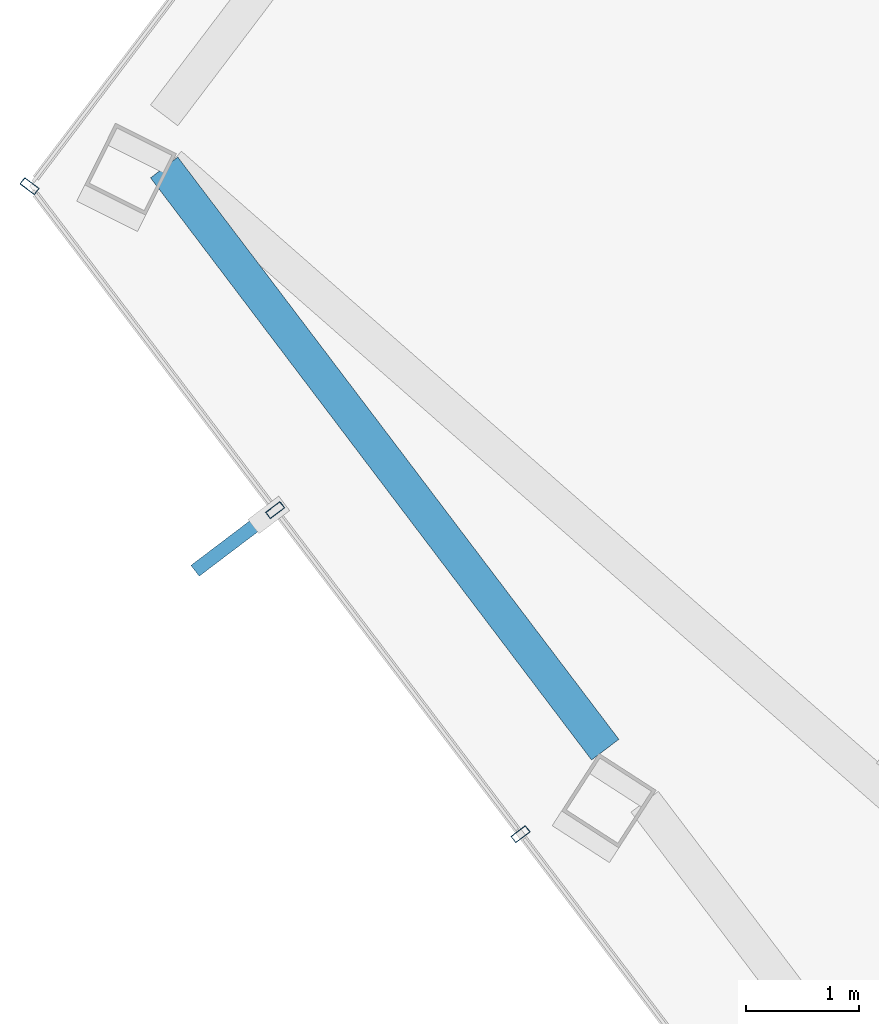
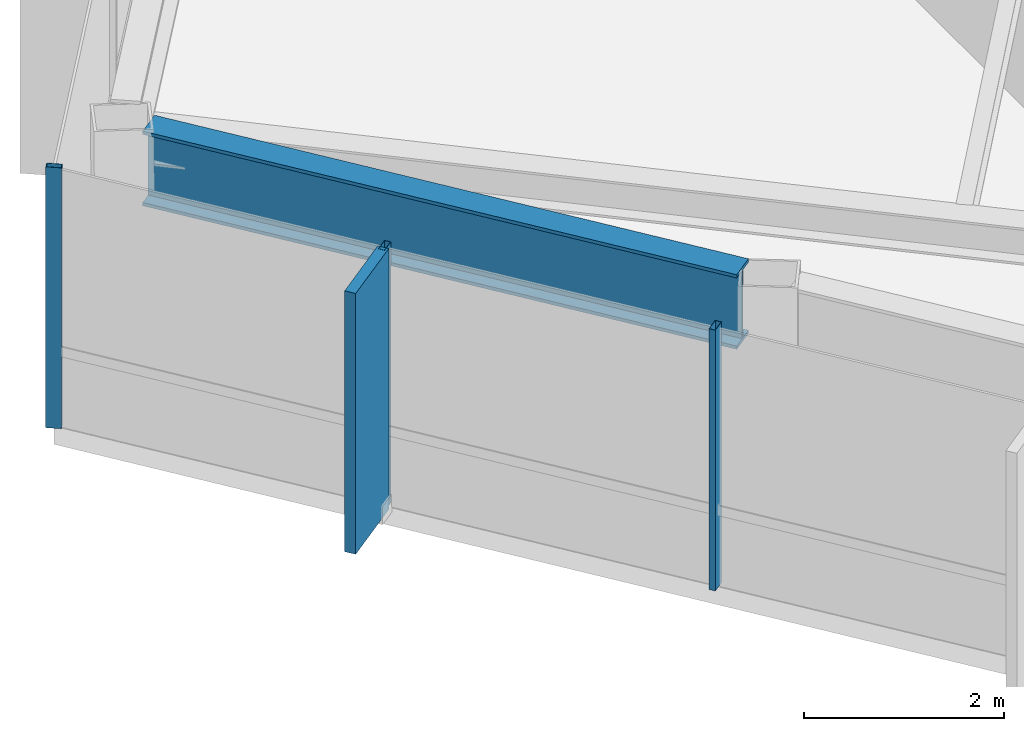
# One storey, part 10 of 27: 4 members, 1 beam, 2 elements without a shape of their own.
"""IFC4 building model written with IfcOpenShell, lengths in metres."""

from ifc_helpers import new_model, si_unit, direction, frame, origin, origin_2d, place, context, subcontext, project, spatial, rectangle, hollow_rectangle, i_section, extrude, material, layer, layer_set, material_profile, profile_set, type_object, element, aggregate, save


model = new_model("IFC4")

# Units and contexts
model_context = context("Model", 3, precision=1e-05, world=origin(), true_north=direction((0.0, 1.0)))
body_context = subcontext(model_context, "Body", "Model", "MODEL_VIEW")
ifc_project = project(units=[si_unit("LENGTHUNIT", "METRE"), si_unit("AREAUNIT", "SQUARE_METRE"), si_unit("VOLUMEUNIT", "CUBIC_METRE"), si_unit("PLANEANGLEUNIT", "RADIAN"), si_unit("MASSUNIT", "GRAM", prefix="KILO")], contexts=[model_context])

# Site, building, storey
site_placement = place(None, origin())
site = spatial("IfcSite", under=ifc_project, at=site_placement, CompositionType="ELEMENT")
building_placement = place(site_placement, origin())
building = spatial("IfcBuilding", under=site, at=building_placement, Name="Zarrinselat Tower", CompositionType="ELEMENT")
storey_placement = place(building_placement, frame((0.0, 0.0, 235.9599609375)))
storey = spatial("IfcBuildingStorey", under=building, at=storey_placement, Name="L59", CompositionType="ELEMENT", Elevation=235.9599609375)

# Beam
ifc_material_1 = material(Name="Steel S460M", Category="steel")
ifc_material_profile_1 = material_profile(ifc_material_1, i_section(OverallWidth=0.302001953125, OverallDepth=0.909912109375, WebThickness=0.02099609375, FlangeThickness=0.0400390625, at=origin_2d()), Name="HEM 900")
ifc_profile_set_1 = profile_set([ifc_material_profile_1], Name="Steel S460M")
beam_type = type_object("IfcBeamType", Name="BM-HEM900", PredefinedType="BEAM", material=ifc_profile_set_1)
beam_placement = place(storey_placement, frame((16.4970703125, 41.34619140625, 2.72509765625), z_axis=(0.603870099969, -0.797082744992, 0.0), x_axis=(0.797082744992, 0.603870099969, 0.0)))
element("IfcBeam", 1, at=beam_placement, inside=storey, type_object=beam_type, Name="L59 Perimeter Spandrel Girder SP06", PredefinedType="BEAM", context=body_context, shape_type="SweptSolid", body=[
    extrude(i_section(OverallWidth=0.302001953125, OverallDepth=0.909912109375, WebThickness=0.02099609375, FlangeThickness=0.0400390625, at=origin_2d()), origin(), (0.0, 0.0, 1.0), 6.43798828125),
])

# Curtain wall, member
ifc_material_2 = material(Name="Extruded Aluminium Alloy EN AW-6063 T6", Category="aluminium")
ifc_layer = layer(ifc_material_2, 0.169921875)
ifc_layer_set = layer_set([ifc_layer], Name="Extruded Aluminium Alloy EN AW-6063 T6")
curtain_wall_type = type_object("IfcCurtainWallType", Name="CWS-RES", PredefinedType="NOTDEFINED", material=ifc_layer_set)
curtain_wall_1_placement = place(storey_placement, origin())
curtain_wall_1 = element("IfcCurtainWall", 2, at=curtain_wall_1_placement, inside=storey, type_object=curtain_wall_type, Name="L59 Unitised Curtain Wall CW-L59-E02", PredefinedType="NOTDEFINED")
ifc_material_3 = material(Name="Extruded Aluminium Alloy EN AW-6063 T6", Category="aluminium")
ifc_material_profile_2 = material_profile(ifc_material_3, hollow_rectangle(XDim=0.070068359375, YDim=0.159912109375, WallThickness=0.00390625, at=origin_2d()), Name="RHS 160x70x4")
ifc_profile_set_2 = profile_set([ifc_material_profile_2], Name="Extruded Aluminium Alloy EN AW-6063 T6")
member_type_1 = type_object("IfcMemberType", Name="MEM-CW-MUL2", PredefinedType="MULLION", material=ifc_profile_set_2)
member_1_placement = place(storey_placement, frame((15.311279296875, 41.181396484375, 0.0), z_axis=(0.0, 0.0, 1.0), x_axis=(-0.603855713814, -0.797093643742, 0.0)))
member_1 = element("IfcMember", 3, at=member_1_placement, type_object=member_type_1, Name="CW-L59-E02 Mullion 2", PredefinedType="MULLION", context=body_context, shape_type="SweptSolid", body=[
    extrude(hollow_rectangle(XDim=0.070068359375, YDim=0.159912109375, WallThickness=0.00390625, at=origin_2d()), origin(), (0.0, 0.0, 1.0), 3.179931640625),
])
aggregate(curtain_wall_1, [member_1])

# Curtain wall, members
curtain_wall_2_placement = place(storey_placement, origin())
curtain_wall_2 = element("IfcCurtainWall", 4, at=curtain_wall_2_placement, inside=storey, type_object=curtain_wall_type, Name="L59 Unitised Curtain Wall CW-L59-E03", PredefinedType="NOTDEFINED")
member_2_placement = place(storey_placement, frame((17.474853515625, 38.32568359375, 0.0), z_axis=(0.0, 0.0, 1.0), x_axis=(0.603857419315, -0.7970923517, 0.0)))
member_2 = element("IfcMember", 5, at=member_2_placement, type_object=member_type_1, Name="CW-L59-E03 Mullion 1", PredefinedType="MULLION", context=body_context, shape_type="SweptSolid", body=[
    extrude(hollow_rectangle(XDim=0.070068359375, YDim=0.159912109375, WallThickness=0.00390625, at=origin_2d()), origin(), (0.0, 0.0, 1.0), 3.179931640625),
])
member_3_placement = place(storey_placement, frame((19.638427734375, 35.469482421875, 0.0), z_axis=(0.0, 0.0, 1.0), x_axis=(0.603857419315, -0.7970923517, 0.0)))
member_3 = element("IfcMember", 6, at=member_3_placement, type_object=member_type_1, Name="CW-L59-E03 Mullion 2", PredefinedType="MULLION", context=body_context, shape_type="SweptSolid", body=[
    extrude(hollow_rectangle(XDim=0.070068359375, YDim=0.159912109375, WallThickness=0.00390625, at=origin_2d()), origin(), (0.0, 0.0, 1.0), 3.179931640625),
])
ifc_material_4 = material(Name="Honed Cream Travertine Stone", Category="masonry")
ifc_material_profile_3 = material_profile(ifc_material_4, rectangle(XDim=0.1201171875, YDim=0.85009765625, at=origin_2d()), Name="FIN 850x120")
ifc_profile_set_3 = profile_set([ifc_material_profile_3], Name="Honed Cream Travertine Stone")
member_type_2 = type_object("IfcMemberType", Name="MEM-STONE-FIN", PredefinedType="USERDEFINED", material=ifc_profile_set_3)
member_4_placement = place(storey_placement, frame((17.108154296875, 38.0478515625, 0.0), z_axis=(0.0, 0.0, 1.0), x_axis=(-0.603857419315, 0.7970923517, 0.0)))
member_4 = element("IfcMember", 7, at=member_4_placement, type_object=member_type_2, Name="L59 Stone Shading Fin CW-L59-E03-01", ObjectType="FIN", PredefinedType="USERDEFINED", context=body_context, shape_type="SweptSolid", body=[
    extrude(rectangle(XDim=0.1201171875, YDim=0.85009765625, at=origin_2d()), origin(), (0.0, 0.0, 1.0), 3.179931640625),
])
aggregate(curtain_wall_2, [member_2, member_4, member_3])

save(model, "model.ifc")
